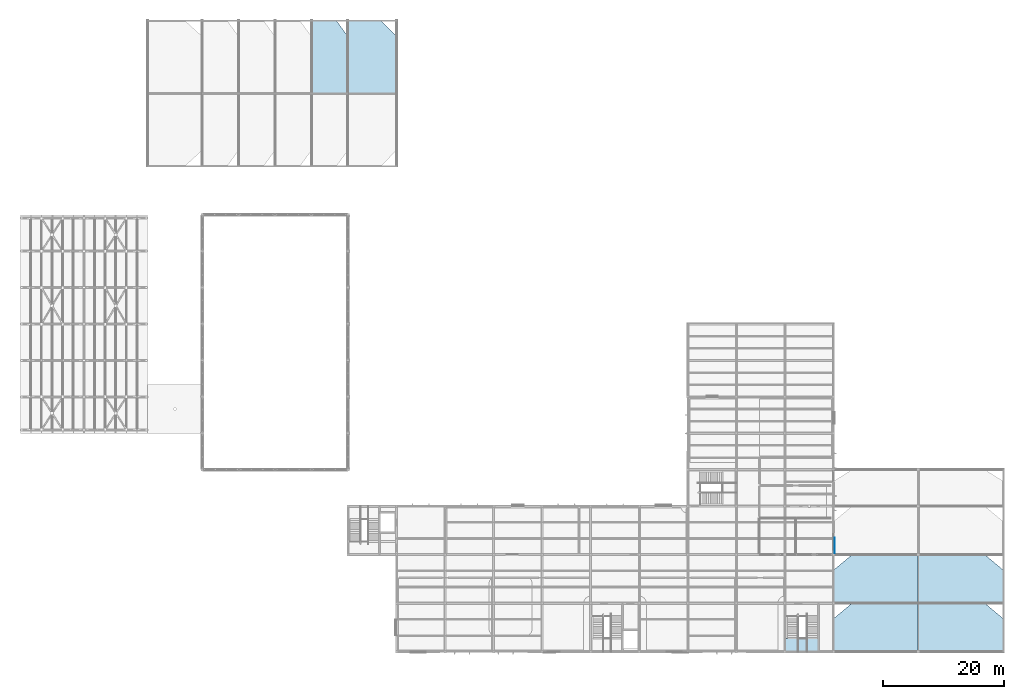
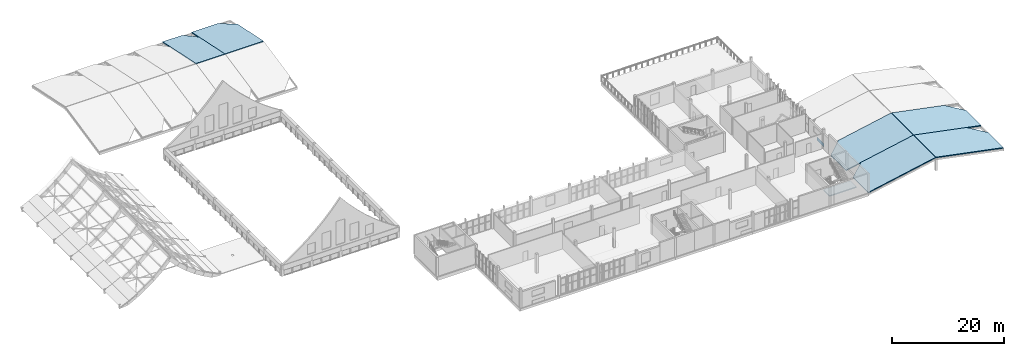
# One storey, part 30 of 45: 7 slabs, 1 plate, 1 element without a shape of its own.
"""IFC4 building model written with IfcOpenShell, lengths in metres."""

from ifc_helpers import new_model, si_unit, direction, frame, origin, origin_2d, place, context, subcontext, project, spatial, polyline, rectangle, outline, extrude, material, layer, layer_set, type_object, element, aggregate, save


model = new_model("IFC4")

# Units and contexts
model_context = context("Model", 3, precision=1e-05, world=origin(), true_north=direction((0.0, 1.0)))
body_context = subcontext(model_context, "Body", "Model", "MODEL_VIEW")
ifc_project = project(units=[si_unit("LENGTHUNIT", "METRE"), si_unit("AREAUNIT", "SQUARE_METRE"), si_unit("VOLUMEUNIT", "CUBIC_METRE"), si_unit("PLANEANGLEUNIT", "RADIAN"), si_unit("MASSUNIT", "GRAM", prefix="KILO")], contexts=[model_context])

# Site, building, storey
site_placement = place(None, origin())
site = spatial("IfcSite", under=ifc_project, at=site_placement, CompositionType="ELEMENT")
building_placement = place(site_placement, origin())
building = spatial("IfcBuilding", under=site, at=building_placement, Name="Solvane Community Centre", CompositionType="ELEMENT")
storey_placement = place(building_placement, frame((0.0, 0.0, 13.800048828125)))
storey = spatial("IfcBuildingStorey", under=building, at=storey_placement, Name="L03", CompositionType="ELEMENT", Elevation=13.800048828125)

# Plate
ifc_material_1 = material(Name="Anodised bronze aluminium AW-6063 T6", Category="aluminium")
ifc_layer_1 = layer(ifc_material_1, 0.02392578125)
ifc_layer_set_1 = layer_set([ifc_layer_1], Name="Anodised bronze aluminium AW-6063 T6")
plate_type = type_object("IfcPlateType", Name="Bronze Spandrel Cassette 24mm", PredefinedType="SHEET", material=ifc_layer_set_1)
plate_placement = place(storey_placement, frame((140.18701171875, 23.5, 0.06005859375), z_axis=(0.0, 0.0, 1.0), x_axis=(0.0, -1.0, 0.0)))
element("IfcPlate", 1, at=plate_placement, inside=storey, type_object=plate_type, Name="Art Deco Spandrel SPC-L03-049", PredefinedType="SHEET", context=body_context, shape_type="SweptSolid", body=[
    extrude(rectangle(XDim=2.5, YDim=0.02392578125, at=origin_2d()), origin(), (0.0, 0.0, 1.0), 0.719970703125),
])

# Slabs
ifc_material_2 = material(Name="Cross-laminated timber C24", Category="wood")
ifc_layer_2 = layer(ifc_material_2, 0.199951171875)
ifc_layer_set_2 = layer_set([ifc_layer_2], Name="Cross-laminated timber C24")
slab_type_1 = type_object("IfcSlabType", Name="Insulated Pitched Roof Deck 200mm", PredefinedType="ROOF", material=ifc_layer_set_2)
slab_1_placement = place(storey_placement, frame((140.0, 6.0, 0.0), z_axis=(-0.19612010312, 3.784069e-06, 0.980579882079), x_axis=(0.980579882086, 3e-12, 0.196120103121)))
element("IfcSlab", 2, at=slab_1_placement, inside=storey, type_object=slab_type_1, Name="Pitched Roof SLB-PRF-V3-W1", PredefinedType="ROOF", context=body_context, shape_type="SweptSolid", body=[
    extrude(outline(polyline([(0.0, 0.0), (14.226224223871867, 1.6940658945086007e-21), (14.226224223892482, 7.999999999942722), (3.1298622160727123, 8.000000000163764), (1.4017567459911409e-11, 5.4399414062110525), (0.0, 0.0)])), origin(), (0.0, 0.0, -1.0), 0.199951171875),
])
slab_2_placement = place(storey_placement, frame((154.050048828125, 6.0, 2.7900390625), z_axis=(0.19612010312, 3.784069e-06, 0.980579882079), x_axis=(0.980579882086, -3e-12, -0.196120103121)))
element("IfcSlab", 3, at=slab_2_placement, inside=storey, type_object=slab_type_1, Name="Pitched Roof SLB-PRF-V3-E1", PredefinedType="ROOF", context=body_context, shape_type="SweptSolid", body=[
    extrude(outline(polyline([(0.0, 0.0), (14.226224223871867, -1.6940658945086007e-21), (14.22622422385785, 5.4399414062110525), (11.096362007799154, 8.000000000163766), (-2.061429182866785e-11, 7.999999999942723), (0.0, 0.0)])), origin(), (0.0, 0.0, -1.0), 0.199951171875),
])
slab_3_placement = place(storey_placement, frame((140.0, 14.0, 0.0), z_axis=(-0.19612010312, 3.784069e-06, 0.980579882079), x_axis=(0.980579882086, 3e-12, 0.196120103121)))
element("IfcSlab", 4, at=slab_3_placement, inside=storey, type_object=slab_type_1, Name="Pitched Roof SLB-PRF-V3-W2", PredefinedType="ROOF", context=body_context, shape_type="SweptSolid", body=[
    extrude(outline(polyline([(0.0, 0.0), (14.226224223871867, 1.6940658945086007e-21), (14.226224223892482, 7.999999999942722), (3.1298622160727123, 8.000000000163764), (1.4017567459911409e-11, 5.4399414062110525), (0.0, 0.0)])), origin(), (0.0, 0.0, -1.0), 0.199951171875),
])
slab_4_placement = place(storey_placement, frame((154.050048828125, 14.0, 2.7900390625), z_axis=(0.19612010312, 3.784069e-06, 0.980579882079), x_axis=(0.980579882086, -3e-12, -0.196120103121)))
element("IfcSlab", 5, at=slab_4_placement, inside=storey, type_object=slab_type_1, Name="Pitched Roof SLB-PRF-V3-E2", PredefinedType="ROOF", context=body_context, shape_type="SweptSolid", body=[
    extrude(outline(polyline([(0.0, 0.0), (14.226224223871867, -1.6940658945086007e-21), (14.22622422385785, 5.4399414062110525), (11.096362007799154, 8.000000000163766), (-2.061429182866785e-11, 7.999999999942723), (0.0, 0.0)])), origin(), (0.0, 0.0, -1.0), 0.199951171875),
])
slab_5_placement = place(storey_placement, frame((54.0, 98.050048828125, 2.489501953125), z_axis=(5.556731e-06, 0.203949518815, 0.97898140623), x_axis=(0.999999999985, -1.133293e-06, -5.439936e-06)))
element("IfcSlab", 6, at=slab_5_placement, inside=storey, type_object=slab_type_1, Name="Pitched Roof SLB-PRF-V5-N5", PredefinedType="ROOF", context=body_context, shape_type="SweptSolid", body=[
    extrude(outline(polyline([(0.0, 0.0), (5.999999999907368, 1.2705494208814505e-21), (6.000000000218614, 9.521178120535978), (4.080078124877728, 12.20651272824045), (-5.928192072841452e-11, 12.20651272824045), (0.0, 0.0)])), origin(), (0.0, 0.0, -1.0), 0.199951171875),
])
slab_6_placement = place(storey_placement, frame((60.0, 98.050048828125, 2.489501953125), z_axis=(4.167558e-06, 0.203949518873, 0.978981406225), x_axis=(0.999999999991, -8.49971e-07, -4.079962e-06)))
element("IfcSlab", 7, at=slab_6_placement, inside=storey, type_object=slab_type_1, Name="Pitched Roof SLB-PRF-V5-N6", PredefinedType="ROOF", context=body_context, shape_type="SweptSolid", body=[
    extrude(outline(polyline([(0.0, 0.0), (7.999999999930526, 0.0), (8.000000000163958, 9.521178120535982), (5.439941406158293, 12.20651272824045), (-4.446447371369677e-11, 12.20651272824045), (0.0, 0.0)])), origin(), (0.0, 0.0, -1.0), 0.199951171875),
])

# Stair, slab
ifc_material_3 = material(Name="Concrete C35/45", Category="concrete")
stair_type = type_object("IfcStairType", Name="RC Two-Flight Escape Stair 1720mm", PredefinedType="TWO_STRAIGHT_RUN_STAIR", material=ifc_material_3)
stair_placement = place(storey_placement, origin())
stair = element("IfcStair", 8, at=stair_placement, inside=storey, type_object=stair_type, Name="Stair STR-C3-L03", PredefinedType="TWO_STRAIGHT_RUN_STAIR")
ifc_layer_3 = layer(ifc_material_3, 0.199951171875)
ifc_layer_set_3 = layer_set([ifc_layer_3], Name="Concrete C35/45")
slab_type_2 = type_object("IfcSlabType", Name="RC Stair Half-Landing Slab 200mm", PredefinedType="LANDING", material=ifc_layer_set_3)
slab_7_placement = place(storey_placement, frame((0.0, 0.0, 1.89990234375)))
slab_7 = element("IfcSlab", 9, at=slab_7_placement, type_object=slab_type_2, Name="ST-05 landing 1", PredefinedType="LANDING", context=body_context, shape_type="SweptSolid", body=[
    extrude(outline(polyline([(131.9599609375, 5.9599609375), (137.56005859375, 5.9599609375), (137.56005859375, 8.199951171875), (131.9599609375, 8.199951171875), (131.9599609375, 5.9599609375)])), origin(), (0.0, 0.0, 1.0), 0.199951171875),
])
aggregate(stair, [slab_7])

save(model, "model.ifc")
